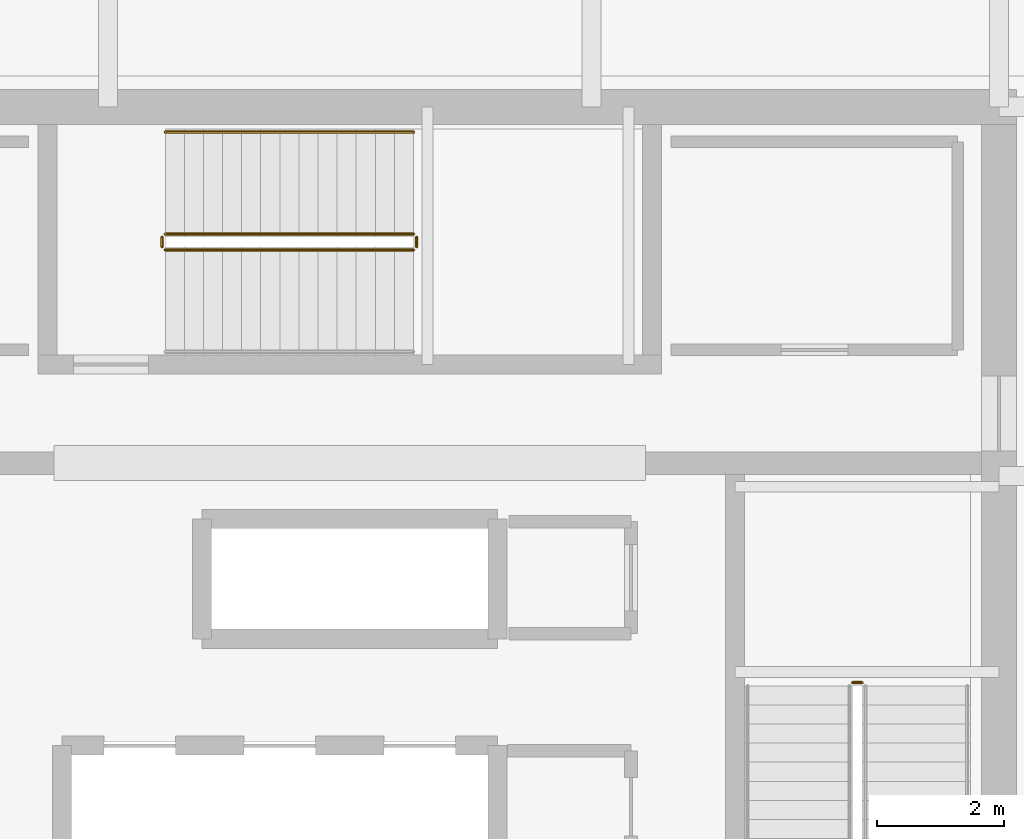
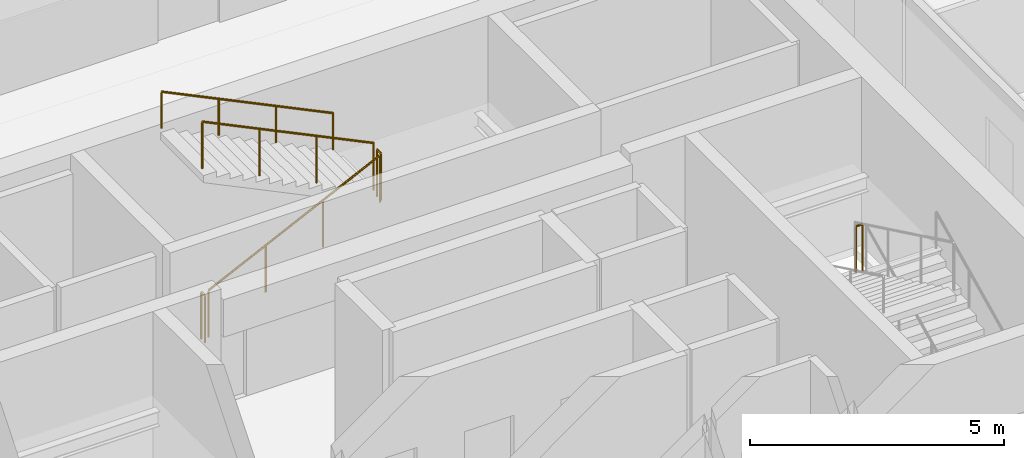
# One storey, part 41 of 42: 6 railings.
"""IFC4 building model written with IfcOpenShell, lengths in metres."""

from ifc_helpers import new_model, si_unit, direction, frame, origin, origin_2d, place, context, subcontext, project, spatial, circle, extrude, material, type_object, element, save


model = new_model("IFC4")

# Units and contexts
model_context = context("Model", 3, precision=1e-05, world=origin(), true_north=direction((0.0, 1.0)))
body_context = subcontext(model_context, "Body", "Model", "MODEL_VIEW")
ifc_project = project(units=[si_unit("LENGTHUNIT", "METRE"), si_unit("AREAUNIT", "SQUARE_METRE"), si_unit("VOLUMEUNIT", "CUBIC_METRE"), si_unit("PLANEANGLEUNIT", "RADIAN"), si_unit("MASSUNIT", "GRAM", prefix="KILO")], contexts=[model_context])

# Site, building, storey
site_placement = place(None, origin())
site = spatial("IfcSite", under=ifc_project, at=site_placement, CompositionType="ELEMENT")
building_placement = place(site_placement, origin())
building = spatial("IfcBuilding", under=site, at=building_placement, Name="Punatoya Terracotta Tower", CompositionType="ELEMENT")
storey_placement = place(building_placement, frame((0.0, 0.0, 255.449951171875)))
storey = spatial("IfcBuildingStorey", under=building, at=storey_placement, Name="L60", CompositionType="ELEMENT", Elevation=255.449951171875)

# Railings
ifc_material = material(Name="Steel S355", Category="steel")
railing_type_1 = type_object("IfcRailingType", Name="RLG-GRD-1150", PredefinedType="GUARDRAIL", material=ifc_material)
railing_1_placement = place(storey_placement, frame((8.050048828125, 0.14990234375, 2.025146484375)))
element("IfcRailing", 1, at=railing_1_placement, inside=storey, type_object=railing_type_1, Name="L60 ST-2 stair guard 2", PredefinedType="GUARDRAIL", context=body_context, shape_type="SweptSolid", body=[
    extrude(circle(Radius=0.02392578125, at=origin_2d()), frame((0.0, 0.0, 1.1259765625), z_axis=(-1.0, 0.0, 0.0), x_axis=(0.0, -1.0, 0.0)), (0.0, 0.0, 1.0), 0.150146484375),
    extrude(circle(Radius=0.02099609375, at=origin_2d()), origin(), (0.0, 0.0, 1.0), 1.101806640625),
    extrude(circle(Radius=0.02099609375, at=origin_2d()), frame((-0.150146484375, 0.0, 0.0)), (0.0, 0.0, 1.0), 1.101806640625),
])
railing_2_placement = place(storey_placement, frame((-2.89990234375, 6.949951171875, 0.144775390625)))
element("IfcRailing", 2, at=railing_2_placement, inside=storey, type_object=railing_type_1, Name="L60 ST-3 stair guard 1", PredefinedType="GUARDRAIL", context=body_context, shape_type="SweptSolid", body=[
    extrude(circle(Radius=0.02392578125, at=origin_2d()), frame((0.0, 0.0, 1.1259765625), z_axis=(0.900763166376, 0.0, 0.434310623978), x_axis=(0.0, 1.0, 0.0)), (0.0, 0.0, 1.0), 4.32958984375),
    extrude(circle(Radius=0.02099609375, at=origin_2d()), origin(), (0.0, 0.0, 1.0), 1.101806640625),
    extrude(circle(Radius=0.02099609375, at=origin_2d()), frame((1.300048828125, 0.0, 0.626708984375)), (0.0, 0.0, 1.0), 1.101806640625),
    extrude(circle(Radius=0.02099609375, at=origin_2d()), frame((2.599853515625, 0.0, 1.253662109375)), (0.0, 0.0, 1.0), 1.101806640625),
    extrude(circle(Radius=0.02099609375, at=origin_2d()), frame((3.89990234375, 0.0, 1.88037109375)), (0.0, 0.0, 1.0), 1.101806640625),
])
railing_3_placement = place(storey_placement, frame((1.050048828125, 7.0, 2.025146484375)))
element("IfcRailing", 3, at=railing_3_placement, inside=storey, type_object=railing_type_1, Name="L60 ST-3 stair guard 2", PredefinedType="GUARDRAIL", context=body_context, shape_type="SweptSolid", body=[
    extrude(circle(Radius=0.02392578125, at=origin_2d()), frame((0.0, 0.0, 1.1259765625), z_axis=(0.0, 1.0, 0.0), x_axis=(-1.0, 0.0, 0.0)), (0.0, 0.0, 1.0), 0.14990234375),
    extrude(circle(Radius=0.02099609375, at=origin_2d()), origin(), (0.0, 0.0, 1.0), 1.101806640625),
    extrude(circle(Radius=0.02099609375, at=origin_2d()), frame((0.0, 0.14990234375, 0.0)), (0.0, 0.0, 1.0), 1.101806640625),
])
railing_4_placement = place(storey_placement, frame((1.0, 7.199951171875, 2.169677734375)))
element("IfcRailing", 4, at=railing_4_placement, inside=storey, type_object=railing_type_1, Name="L60 ST-3 stair guard 3", PredefinedType="GUARDRAIL", context=body_context, shape_type="SweptSolid", body=[
    extrude(circle(Radius=0.02392578125, at=origin_2d()), frame((0.0, 0.0, 1.1259765625), z_axis=(-0.900763166376, 0.0, 0.434310623978), x_axis=(0.0, -1.0, 0.0)), (0.0, 0.0, 1.0), 4.32958984375),
    extrude(circle(Radius=0.02099609375, at=origin_2d()), origin(), (0.0, 0.0, 1.0), 1.101806640625),
    extrude(circle(Radius=0.02099609375, at=origin_2d()), frame((-1.300048828125, 0.0, 0.626708984375)), (0.0, 0.0, 1.0), 1.101806640625),
    extrude(circle(Radius=0.02099609375, at=origin_2d()), frame((-2.599853515625, 0.0, 1.253662109375)), (0.0, 0.0, 1.0), 1.101806640625),
    extrude(circle(Radius=0.02099609375, at=origin_2d()), frame((-3.89990234375, 0.0, 1.88037109375)), (0.0, 0.0, 1.0), 1.101806640625),
])
railing_5_placement = place(storey_placement, frame((-2.949951171875, 7.0, 0.0)))
element("IfcRailing", 5, at=railing_5_placement, inside=storey, type_object=railing_type_1, Name="L60 ST-3 stair guard 4", PredefinedType="GUARDRAIL", context=body_context, shape_type="SweptSolid", body=[
    extrude(circle(Radius=0.02392578125, at=origin_2d()), frame((0.0, 0.0, 1.1259765625), z_axis=(0.0, 1.0, 0.0), x_axis=(-1.0, 0.0, 0.0)), (0.0, 0.0, 1.0), 0.14990234375),
    extrude(circle(Radius=0.02099609375, at=origin_2d()), origin(), (0.0, 0.0, 1.0), 1.101806640625),
    extrude(circle(Radius=0.02099609375, at=origin_2d()), frame((0.0, 0.14990234375, 0.0)), (0.0, 0.0, 1.0), 1.101806640625),
])
railing_type_2 = type_object("IfcRailingType", Name="RLG-HND-900", PredefinedType="HANDRAIL", material=ifc_material)
railing_6_placement = place(storey_placement, frame((1.0, 8.800048828125, 2.169677734375)))
element("IfcRailing", 6, at=railing_6_placement, inside=storey, type_object=railing_type_2, Name="L60 ST-3 stair handrail 2", PredefinedType="HANDRAIL", context=body_context, shape_type="SweptSolid", body=[
    extrude(circle(Radius=0.02392578125, at=origin_2d()), frame((0.0, 0.0, 0.8759765625), z_axis=(-0.900763166376, 0.0, 0.434310623978), x_axis=(0.0, -1.0, 0.0)), (0.0, 0.0, 1.0), 4.32958984375),
    extrude(circle(Radius=0.02099609375, at=origin_2d()), origin(), (0.0, 0.0, 1.0), 0.851806640625),
    extrude(circle(Radius=0.02099609375, at=origin_2d()), frame((-1.300048828125, 0.0, 0.626708984375)), (0.0, 0.0, 1.0), 0.851806640625),
    extrude(circle(Radius=0.02099609375, at=origin_2d()), frame((-2.599853515625, 0.0, 1.253662109375)), (0.0, 0.0, 1.0), 0.851806640625),
    extrude(circle(Radius=0.02099609375, at=origin_2d()), frame((-3.89990234375, 0.0, 1.88037109375)), (0.0, 0.0, 1.0), 0.851806640625),
])

save(model, "model.ifc")
